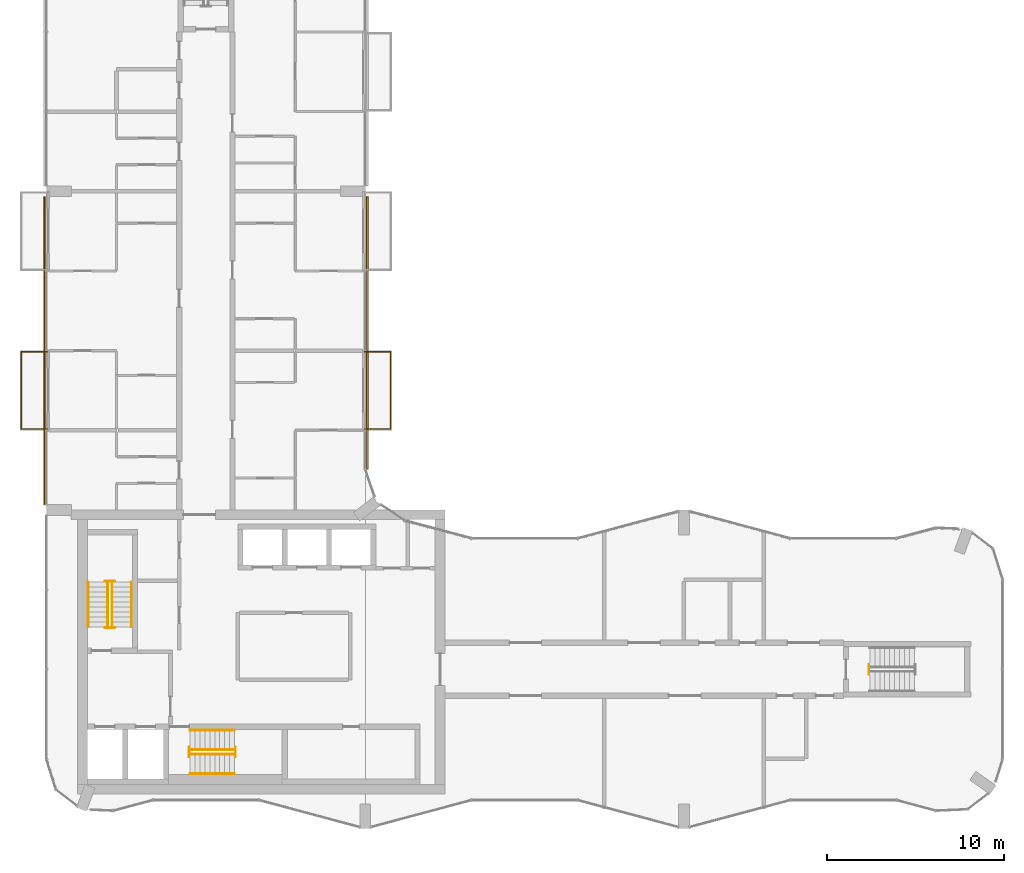
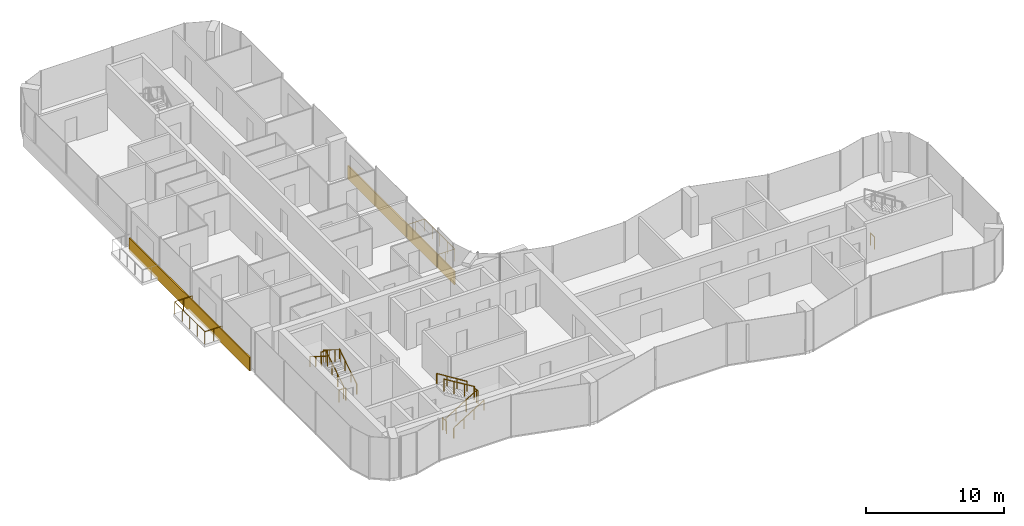
# One storey, part 14 of 16: 15 railings, 2 coverings.
"""IFC4 building model written with IfcOpenShell, lengths in metres."""

from ifc_helpers import new_model, si_unit, direction, frame, origin, origin_2d, place, context, subcontext, project, spatial, rectangle, circle, extrude, material, layer, layer_set, type_object, element, save


model = new_model("IFC4")

# Units and contexts
model_context = context("Model", 3, precision=1e-05, world=origin(), true_north=direction((0.0, 1.0)))
body_context = subcontext(model_context, "Body", "Model", "MODEL_VIEW")
ifc_project = project(units=[si_unit("LENGTHUNIT", "METRE"), si_unit("AREAUNIT", "SQUARE_METRE"), si_unit("VOLUMEUNIT", "CUBIC_METRE"), si_unit("PLANEANGLEUNIT", "RADIAN"), si_unit("MASSUNIT", "GRAM", prefix="KILO")], contexts=[model_context])

# Site, building, storey
site_placement = place(None, origin())
site = spatial("IfcSite", under=ifc_project, at=site_placement, CompositionType="ELEMENT")
building_placement = place(site_placement, origin())
building = spatial("IfcBuilding", under=site, at=building_placement, Name="Plateau Cross Towers", CompositionType="ELEMENT")
storey_placement = place(building_placement, frame((0.0, 0.0, 181.39990234375)))
storey = spatial("IfcBuildingStorey", under=building, at=storey_placement, Name="L47", CompositionType="ELEMENT", Elevation=181.39990234375)

# Railings
ifc_material_1 = material(Name="Stainless steel and toughened glass", Category="steel")
railing_type_1 = type_object("IfcRailingType", Name="Glass balustrade guard 1100", PredefinedType="GUARDRAIL", material=ifc_material_1)
railing_1_placement = place(storey_placement, frame((0.050048828125, 22.570068359375, 0.0)))
element("IfcRailing", 1, at=railing_1_placement, inside=storey, type_object=railing_type_1, Name="Guard guard1", PredefinedType="GUARDRAIL", context=body_context, shape_type="SweptSolid", body=[
    extrude(circle(Radius=0.02392578125, at=origin_2d()), frame((0.0, 0.0, 1.076171875), z_axis=(-1.0, 0.0, 0.0), x_axis=(0.0, -1.0, 0.0)), (0.0, 0.0, 1.0), 1.47998046875),
    extrude(circle(Radius=0.02392578125, at=origin_2d()), frame((-1.47998046875, 0.0, 1.076171875), z_axis=(0.0, 1.0, 0.0), x_axis=(-1.0, 0.0, 0.0)), (0.0, 0.0, 1.0), 4.35986328125),
    extrude(circle(Radius=0.02392578125, at=origin_2d()), frame((-1.47998046875, 4.35986328125, 1.076171875), z_axis=(1.0, 0.0, 0.0), x_axis=(0.0, 1.0, 0.0)), (0.0, 0.0, 1.0), 1.47998046875),
    extrude(circle(Radius=0.02099609375, at=origin_2d()), origin(), (0.0, 0.0, 1.0), 1.052001953125),
    extrude(circle(Radius=0.02099609375, at=origin_2d()), frame((-0.739990234375, 0.0, 0.0)), (0.0, 0.0, 1.0), 1.052001953125),
    extrude(circle(Radius=0.02099609375, at=origin_2d()), frame((-1.47998046875, 0.0, 0.0)), (0.0, 0.0, 1.0), 1.052001953125),
    extrude(circle(Radius=0.02099609375, at=origin_2d()), frame((-1.47998046875, 1.08984375, 0.0)), (0.0, 0.0, 1.0), 1.052001953125),
    extrude(circle(Radius=0.02099609375, at=origin_2d()), frame((-1.47998046875, 2.179931640625, 0.0)), (0.0, 0.0, 1.0), 1.052001953125),
    extrude(circle(Radius=0.02099609375, at=origin_2d()), frame((-1.47998046875, 3.27001953125, 0.0)), (0.0, 0.0, 1.0), 1.052001953125),
    extrude(circle(Radius=0.02099609375, at=origin_2d()), frame((-1.47998046875, 4.35986328125, 0.0)), (0.0, 0.0, 1.0), 1.052001953125),
    extrude(circle(Radius=0.02099609375, at=origin_2d()), frame((-0.739990234375, 4.35986328125, 0.0)), (0.0, 0.0, 1.0), 1.052001953125),
    extrude(circle(Radius=0.02099609375, at=origin_2d()), frame((0.0, 4.35986328125, 0.0)), (0.0, 0.0, 1.0), 1.052001953125),
])
railing_2_placement = place(storey_placement, frame((17.949951171875, 26.929931640625, 0.0)))
element("IfcRailing", 2, at=railing_2_placement, inside=storey, type_object=railing_type_1, Name="Guard guard1", PredefinedType="GUARDRAIL", context=body_context, shape_type="SweptSolid", body=[
    extrude(circle(Radius=0.02392578125, at=origin_2d()), frame((0.0, 0.0, 1.076171875), z_axis=(1.0, 0.0, 0.0), x_axis=(0.0, 1.0, 0.0)), (0.0, 0.0, 1.0), 1.47998046875),
    extrude(circle(Radius=0.02392578125, at=origin_2d()), frame((1.47998046875, 0.0, 1.076171875), z_axis=(0.0, -1.0, 0.0), x_axis=(1.0, 0.0, 0.0)), (0.0, 0.0, 1.0), 4.35986328125),
    extrude(circle(Radius=0.02392578125, at=origin_2d()), frame((1.47998046875, -4.35986328125, 1.076171875), z_axis=(-1.0, 0.0, 0.0), x_axis=(0.0, -1.0, 0.0)), (0.0, 0.0, 1.0), 1.47998046875),
    extrude(circle(Radius=0.02099609375, at=origin_2d()), origin(), (0.0, 0.0, 1.0), 1.052001953125),
    extrude(circle(Radius=0.02099609375, at=origin_2d()), frame((0.739990234375, 0.0, 0.0)), (0.0, 0.0, 1.0), 1.052001953125),
    extrude(circle(Radius=0.02099609375, at=origin_2d()), frame((1.47998046875, 0.0, 0.0)), (0.0, 0.0, 1.0), 1.052001953125),
    extrude(circle(Radius=0.02099609375, at=origin_2d()), frame((1.47998046875, -1.08984375, 0.0)), (0.0, 0.0, 1.0), 1.052001953125),
    extrude(circle(Radius=0.02099609375, at=origin_2d()), frame((1.47998046875, -2.179931640625, 0.0)), (0.0, 0.0, 1.0), 1.052001953125),
    extrude(circle(Radius=0.02099609375, at=origin_2d()), frame((1.47998046875, -3.27001953125, 0.0)), (0.0, 0.0, 1.0), 1.052001953125),
    extrude(circle(Radius=0.02099609375, at=origin_2d()), frame((1.47998046875, -4.35986328125, 0.0)), (0.0, 0.0, 1.0), 1.052001953125),
    extrude(circle(Radius=0.02099609375, at=origin_2d()), frame((0.739990234375, -4.35986328125, 0.0)), (0.0, 0.0, 1.0), 1.052001953125),
    extrude(circle(Radius=0.02099609375, at=origin_2d()), frame((0.0, -4.35986328125, 0.0)), (0.0, 0.0, 1.0), 1.052001953125),
])
railing_type_2 = type_object("IfcRailingType", Name="RL-GUARD-1100", PredefinedType="GUARDRAIL", material=ifc_material_1)
railing_3_placement = place(storey_placement, frame((3.699951171875, 11.39990234375, 0.175048828125)))
element("IfcRailing", 3, at=railing_3_placement, inside=storey, type_object=railing_type_2, Name="L47 ST-1 stair guard 1", PredefinedType="GUARDRAIL", context=body_context, shape_type="SweptSolid", body=[
    extrude(circle(Radius=0.02392578125, at=origin_2d()), frame((0.0, 0.0, 1.076171875), z_axis=(0.0, 0.848007534815, 0.529984170421), x_axis=(-1.0, 0.0, 0.0)), (0.0, 0.0, 1.0), 2.9716796875),
    extrude(circle(Radius=0.02099609375, at=origin_2d()), origin(), (0.0, 0.0, 1.0), 1.052001953125),
    extrude(circle(Radius=0.02099609375, at=origin_2d()), frame((0.0, 0.840087890625, 0.52490234375)), (0.0, 0.0, 1.0), 1.052001953125),
    extrude(circle(Radius=0.02099609375, at=origin_2d()), frame((0.0, 1.679931640625, 1.050048828125)), (0.0, 0.0, 1.0), 1.052001953125),
    extrude(circle(Radius=0.02099609375, at=origin_2d()), frame((0.0, 2.52001953125, 1.574951171875)), (0.0, 0.0, 1.0), 1.052001953125),
])
railing_4_placement = place(storey_placement, frame((3.85009765625, 13.969970703125, 1.75)))
element("IfcRailing", 4, at=railing_4_placement, inside=storey, type_object=railing_type_2, Name="L47 ST-1 stair guard 2", PredefinedType="GUARDRAIL", context=body_context, shape_type="SweptSolid", body=[
    extrude(circle(Radius=0.02392578125, at=origin_2d()), frame((0.0, 0.0, 1.076171875), z_axis=(-1.0, 0.0, 0.0), x_axis=(0.0, -1.0, 0.0)), (0.0, 0.0, 1.0), 0.550048828125),
    extrude(circle(Radius=0.02099609375, at=origin_2d()), origin(), (0.0, 0.0, 1.0), 1.052001953125),
    extrude(circle(Radius=0.02099609375, at=origin_2d()), frame((-0.550048828125, 0.0, 0.0)), (0.0, 0.0, 1.0), 1.052001953125),
])
railing_5_placement = place(storey_placement, frame((3.449951171875, 13.919921875, 1.925048828125)))
element("IfcRailing", 5, at=railing_5_placement, inside=storey, type_object=railing_type_2, Name="L47 ST-1 stair guard 3", PredefinedType="GUARDRAIL", context=body_context, shape_type="SweptSolid", body=[
    extrude(circle(Radius=0.02392578125, at=origin_2d()), frame((0.0, 0.0, 1.076171875), z_axis=(0.0, -0.852616386126, 0.522537365276), x_axis=(1.0, 0.0, 0.0)), (0.0, 0.0, 1.0), 3.01416015625),
    extrude(circle(Radius=0.02099609375, at=origin_2d()), origin(), (0.0, 0.0, 1.0), 1.052001953125),
    extrude(circle(Radius=0.02099609375, at=origin_2d()), frame((0.0, -0.856689453125, 0.52490234375)), (0.0, 0.0, 1.0), 1.052001953125),
    extrude(circle(Radius=0.02099609375, at=origin_2d()), frame((0.0, -1.713134765625, 1.050048828125)), (0.0, 0.0, 1.0), 1.052001953125),
    extrude(circle(Radius=0.02099609375, at=origin_2d()), frame((0.0, -2.56982421875, 1.574951171875)), (0.0, 0.0, 1.0), 1.052001953125),
])
railing_6_placement = place(storey_placement, frame((3.85009765625, 11.35009765625, 0.0)))
element("IfcRailing", 6, at=railing_6_placement, inside=storey, type_object=railing_type_2, Name="L47 ST-1 stair guard 4", PredefinedType="GUARDRAIL", context=body_context, shape_type="SweptSolid", body=[
    extrude(circle(Radius=0.02392578125, at=origin_2d()), frame((0.0, 0.0, 1.076171875), z_axis=(-1.0, 0.0, 0.0), x_axis=(0.0, -1.0, 0.0)), (0.0, 0.0, 1.0), 0.550048828125),
    extrude(circle(Radius=0.02099609375, at=origin_2d()), origin(), (0.0, 0.0, 1.0), 1.052001953125),
    extrude(circle(Radius=0.02099609375, at=origin_2d()), frame((-0.550048828125, 0.0, 0.0)), (0.0, 0.0, 1.0), 1.052001953125),
])
railing_7_placement = place(storey_placement, frame((8.10009765625, 4.199951171875, 0.175048828125)))
element("IfcRailing", 7, at=railing_7_placement, inside=storey, type_object=railing_type_2, Name="L47 ST-2 stair guard 1", PredefinedType="GUARDRAIL", context=body_context, shape_type="SweptSolid", body=[
    extrude(circle(Radius=0.02392578125, at=origin_2d()), frame((0.0, 0.0, 1.076171875), z_axis=(0.848007534815, 0.0, 0.529984170421), x_axis=(0.0, 1.0, 0.0)), (0.0, 0.0, 1.0), 2.9716796875),
    extrude(circle(Radius=0.02099609375, at=origin_2d()), origin(), (0.0, 0.0, 1.0), 1.052001953125),
    extrude(circle(Radius=0.02099609375, at=origin_2d()), frame((0.840087890625, 0.0, 0.52490234375)), (0.0, 0.0, 1.0), 1.052001953125),
    extrude(circle(Radius=0.02099609375, at=origin_2d()), frame((1.679931640625, 0.0, 1.050048828125)), (0.0, 0.0, 1.0), 1.052001953125),
    extrude(circle(Radius=0.02099609375, at=origin_2d()), frame((2.52001953125, 0.0, 1.574951171875)), (0.0, 0.0, 1.0), 1.052001953125),
])
railing_8_placement = place(storey_placement, frame((10.669921875, 4.050048828125, 1.75)))
element("IfcRailing", 8, at=railing_8_placement, inside=storey, type_object=railing_type_2, Name="L47 ST-2 stair guard 2", PredefinedType="GUARDRAIL", context=body_context, shape_type="SweptSolid", body=[
    extrude(circle(Radius=0.02392578125, at=origin_2d()), frame((0.0, 0.0, 1.076171875), z_axis=(0.0, 1.0, 0.0), x_axis=(-1.0, 0.0, 0.0)), (0.0, 0.0, 1.0), 0.550048828125),
    extrude(circle(Radius=0.02099609375, at=origin_2d()), origin(), (0.0, 0.0, 1.0), 1.052001953125),
    extrude(circle(Radius=0.02099609375, at=origin_2d()), frame((0.0, 0.550048828125, 0.0)), (0.0, 0.0, 1.0), 1.052001953125),
])
railing_9_placement = place(storey_placement, frame((10.6201171875, 4.449951171875, 1.925048828125)))
element("IfcRailing", 9, at=railing_9_placement, inside=storey, type_object=railing_type_2, Name="L47 ST-2 stair guard 3", PredefinedType="GUARDRAIL", context=body_context, shape_type="SweptSolid", body=[
    extrude(circle(Radius=0.02392578125, at=origin_2d()), frame((0.0, 0.0, 1.076171875), z_axis=(-0.852638500773, 0.0, 0.522501279423), x_axis=(0.0, -1.0, 0.0)), (0.0, 0.0, 1.0), 3.01416015625),
    extrude(circle(Radius=0.02099609375, at=origin_2d()), origin(), (0.0, 0.0, 1.0), 1.052001953125),
    extrude(circle(Radius=0.02099609375, at=origin_2d()), frame((-0.856689453125, 0.0, 0.52490234375)), (0.0, 0.0, 1.0), 1.052001953125),
    extrude(circle(Radius=0.02099609375, at=origin_2d()), frame((-1.71337890625, 0.0, 1.050048828125)), (0.0, 0.0, 1.0), 1.052001953125),
    extrude(circle(Radius=0.02099609375, at=origin_2d()), frame((-2.570068359375, 0.0, 1.574951171875)), (0.0, 0.0, 1.0), 1.052001953125),
])
railing_10_placement = place(storey_placement, frame((8.050048828125, 4.050048828125, 0.0)))
element("IfcRailing", 10, at=railing_10_placement, inside=storey, type_object=railing_type_2, Name="L47 ST-2 stair guard 4", PredefinedType="GUARDRAIL", context=body_context, shape_type="SweptSolid", body=[
    extrude(circle(Radius=0.02392578125, at=origin_2d()), frame((0.0, 0.0, 1.076171875), z_axis=(0.0, 1.0, 0.0), x_axis=(-1.0, 0.0, 0.0)), (0.0, 0.0, 1.0), 0.550048828125),
    extrude(circle(Radius=0.02099609375, at=origin_2d()), origin(), (0.0, 0.0, 1.0), 1.052001953125),
    extrude(circle(Radius=0.02099609375, at=origin_2d()), frame((0.0, 0.550048828125, 0.0)), (0.0, 0.0, 1.0), 1.052001953125),
])
railing_11_placement = place(storey_placement, frame((46.449951171875, 8.72509765625, 0.0)))
element("IfcRailing", 11, at=railing_11_placement, inside=storey, type_object=railing_type_2, Name="L47 ES-E stair guard 4", PredefinedType="GUARDRAIL", context=body_context, shape_type="SweptSolid", body=[
    extrude(circle(Radius=0.02392578125, at=origin_2d()), frame((0.0, 0.0, 1.076171875), z_axis=(0.0, 1.0, 0.0), x_axis=(-1.0, 0.0, 0.0)), (0.0, 0.0, 1.0), 0.5498046875),
    extrude(circle(Radius=0.02099609375, at=origin_2d()), origin(), (0.0, 0.0, 1.0), 1.052001953125),
    extrude(circle(Radius=0.02099609375, at=origin_2d()), frame((0.0, 0.5498046875, 0.0)), (0.0, 0.0, 1.0), 1.052001953125),
])
ifc_material_2 = material(Name="Black anodised aluminium", Category="aluminium")
railing_type_3 = type_object("IfcRailingType", Name="RL-HANDRAIL-900", PredefinedType="HANDRAIL", material=ifc_material_2)
railing_12_placement = place(storey_placement, frame((4.800048828125, 11.39990234375, 0.175048828125)))
element("IfcRailing", 12, at=railing_12_placement, inside=storey, type_object=railing_type_3, Name="L47 ST-1 stair handrail 1", PredefinedType="HANDRAIL", context=body_context, shape_type="SweptSolid", body=[
    extrude(circle(Radius=0.02392578125, at=origin_2d()), frame((0.0, 0.0, 0.8759765625), z_axis=(0.0, 0.848007534815, 0.529984170421), x_axis=(-1.0, 0.0, 0.0)), (0.0, 0.0, 1.0), 2.9716796875),
    extrude(circle(Radius=0.02099609375, at=origin_2d()), origin(), (0.0, 0.0, 1.0), 0.851806640625),
    extrude(circle(Radius=0.02099609375, at=origin_2d()), frame((0.0, 0.840087890625, 0.52490234375)), (0.0, 0.0, 1.0), 0.851806640625),
    extrude(circle(Radius=0.02099609375, at=origin_2d()), frame((0.0, 1.679931640625, 1.050048828125)), (0.0, 0.0, 1.0), 0.851806640625),
    extrude(circle(Radius=0.02099609375, at=origin_2d()), frame((0.0, 2.52001953125, 1.574951171875)), (0.0, 0.0, 1.0), 0.851806640625),
])
railing_13_placement = place(storey_placement, frame((2.35009765625, 13.919921875, 1.925048828125)))
element("IfcRailing", 13, at=railing_13_placement, inside=storey, type_object=railing_type_3, Name="L47 ST-1 stair handrail 2", PredefinedType="HANDRAIL", context=body_context, shape_type="SweptSolid", body=[
    extrude(circle(Radius=0.02392578125, at=origin_2d()), frame((0.0, 0.0, 0.8759765625), z_axis=(0.0, -0.848007534815, 0.529984170421), x_axis=(1.0, 0.0, 0.0)), (0.0, 0.0, 1.0), 2.9716796875),
    extrude(circle(Radius=0.02099609375, at=origin_2d()), origin(), (0.0, 0.0, 1.0), 0.851806640625),
    extrude(circle(Radius=0.02099609375, at=origin_2d()), frame((0.0, -0.840087890625, 0.52490234375)), (0.0, 0.0, 1.0), 0.851806640625),
    extrude(circle(Radius=0.02099609375, at=origin_2d()), frame((0.0, -1.679931640625, 1.050048828125)), (0.0, 0.0, 1.0), 0.851806640625),
    extrude(circle(Radius=0.02099609375, at=origin_2d()), frame((0.0, -2.52001953125, 1.574951171875)), (0.0, 0.0, 1.0), 0.851806640625),
])
railing_14_placement = place(storey_placement, frame((8.10009765625, 3.10009765625, 0.175048828125)))
element("IfcRailing", 14, at=railing_14_placement, inside=storey, type_object=railing_type_3, Name="L47 ST-2 stair handrail 1", PredefinedType="HANDRAIL", context=body_context, shape_type="SweptSolid", body=[
    extrude(circle(Radius=0.02392578125, at=origin_2d()), frame((0.0, 0.0, 0.8759765625), z_axis=(0.848007534815, 0.0, 0.529984170421), x_axis=(0.0, 1.0, 0.0)), (0.0, 0.0, 1.0), 2.9716796875),
    extrude(circle(Radius=0.02099609375, at=origin_2d()), origin(), (0.0, 0.0, 1.0), 0.851806640625),
    extrude(circle(Radius=0.02099609375, at=origin_2d()), frame((0.840087890625, 0.0, 0.52490234375)), (0.0, 0.0, 1.0), 0.851806640625),
    extrude(circle(Radius=0.02099609375, at=origin_2d()), frame((1.679931640625, 0.0, 1.050048828125)), (0.0, 0.0, 1.0), 0.851806640625),
    extrude(circle(Radius=0.02099609375, at=origin_2d()), frame((2.52001953125, 0.0, 1.574951171875)), (0.0, 0.0, 1.0), 0.851806640625),
])
railing_15_placement = place(storey_placement, frame((10.6201171875, 5.550048828125, 1.925048828125)))
element("IfcRailing", 15, at=railing_15_placement, inside=storey, type_object=railing_type_3, Name="L47 ST-2 stair handrail 2", PredefinedType="HANDRAIL", context=body_context, shape_type="SweptSolid", body=[
    extrude(circle(Radius=0.02392578125, at=origin_2d()), frame((0.0, 0.0, 0.8759765625), z_axis=(-0.848007534815, 0.0, 0.529984170421), x_axis=(0.0, -1.0, 0.0)), (0.0, 0.0, 1.0), 2.9716796875),
    extrude(circle(Radius=0.02099609375, at=origin_2d()), origin(), (0.0, 0.0, 1.0), 0.851806640625),
    extrude(circle(Radius=0.02099609375, at=origin_2d()), frame((-0.840087890625, 0.0, 0.52490234375)), (0.0, 0.0, 1.0), 0.851806640625),
    extrude(circle(Radius=0.02099609375, at=origin_2d()), frame((-1.679931640625, 0.0, 1.050048828125)), (0.0, 0.0, 1.0), 0.851806640625),
    extrude(circle(Radius=0.02099609375, at=origin_2d()), frame((-2.52001953125, 0.0, 1.574951171875)), (0.0, 0.0, 1.0), 0.851806640625),
])

# Coverings
ifc_material_3 = material(Name="Precast concrete cladding C40/50", Category="concrete")
ifc_layer = layer(ifc_material_3, 0.10009765625)
ifc_layer_set = layer_set([ifc_layer], Name="Precast concrete cladding C40/50")
covering_type = type_object("IfcCoveringType", Name="Spandrel band cladding 100x1200", PredefinedType="CLADDING", material=ifc_layer_set)
covering_1_placement = place(storey_placement, frame((18.1201171875, 28.001220703125, -0.25), z_axis=(0.0, 0.0, 1.0), x_axis=(0.0, 1.0, 0.0)))
element("IfcCovering", 16, at=covering_1_placement, inside=storey, type_object=covering_type, Name="Spandrel band", PredefinedType="CLADDING", context=body_context, shape_type="SweptSolid", body=[
    extrude(rectangle(XDim=15.397705078125, YDim=0.10009765625, at=origin_2d()), origin(), (0.0, 0.0, 1.0), 1.199951171875),
])
covering_2_placement = place(storey_placement, frame((-0.1201171875, 27.0, -0.25), z_axis=(0.0, 0.0, 1.0), x_axis=(0.0, -1.0, 0.0)))
element("IfcCovering", 17, at=covering_2_placement, inside=storey, type_object=covering_type, Name="Spandrel band", PredefinedType="CLADDING", context=body_context, shape_type="SweptSolid", body=[
    extrude(rectangle(XDim=17.39990234375, YDim=0.10009765625, at=origin_2d()), origin(), (0.0, 0.0, 1.0), 1.199951171875),
])

save(model, "model.ifc")
